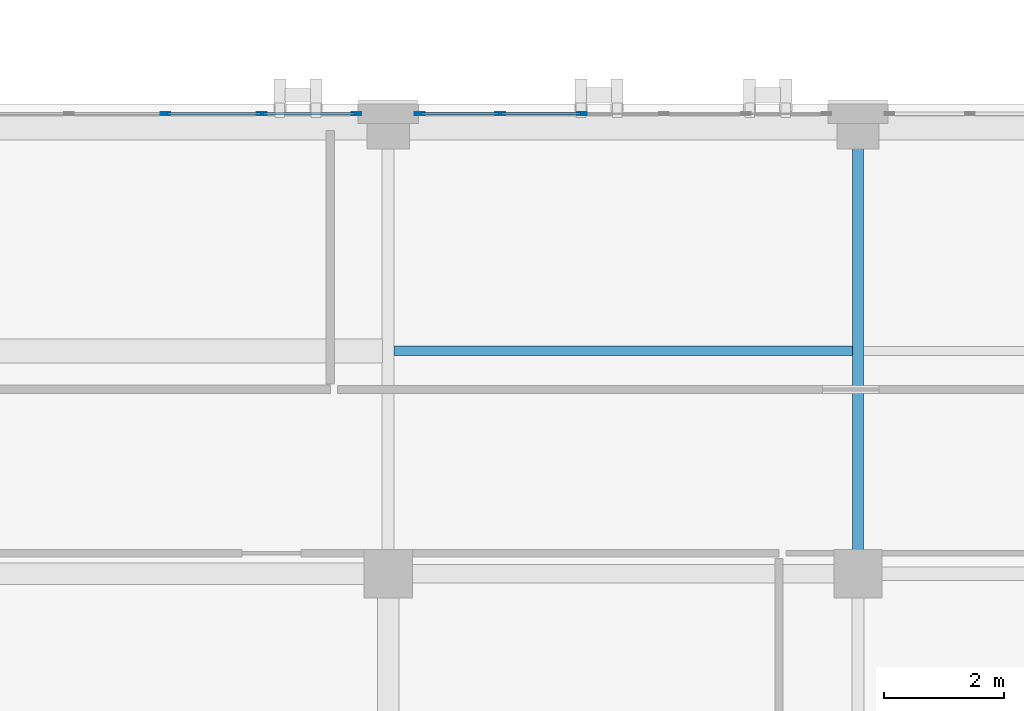
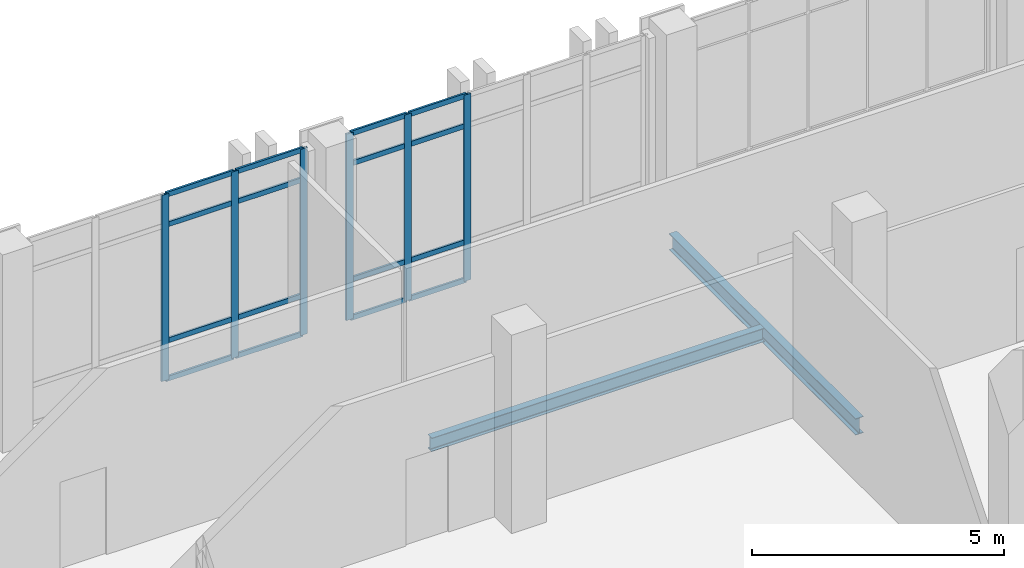
# One storey, part 121 of 189: 22 members, 2 beams, 2 elements without a shape of their own.
"""IFC4 building model written with IfcOpenShell, lengths in metres."""

import ifcopenshell
import ifcopenshell.guid

model = None  # the IFC model being written
_history = None  # IfcOwnerHistory: only IFC2X3 demands one
_inside = {}  # id of a spatial element -> (the spatial element, [elements in it])
_under = {}  # id of a project, library or spatial element -> (it, [spatial elements below it])
_declared = {}  # id of a project -> (the project, [libraries it declares])
_typed = {}  # id of a type object -> (the type object, [elements of that type])
_made_of = {}  # id of a material, layer set ... -> (it, [elements and type objects made of it])


def new_model(schema):
    """Start an empty IFC model of exactly this schema.

    Asked for "IFC4X3", IfcOpenShell would pick the latest addendum, in which some entities
    have other attributes; the version numbers below select the first issue.
    IFC2X3 requires an IfcOwnerHistory on every rooted entity: one is made here for all.
    """
    global model, _history
    if schema == "IFC4X3":
        model = ifcopenshell.file(schema_version=(4, 3, 0, 0))
    else:
        model = ifcopenshell.file(schema=schema)
    _inside.clear()
    _under.clear()
    _declared.clear()
    _typed.clear()
    _made_of.clear()
    _history = None
    if model.schema == "IFC2X3":
        org = make("IfcOrganization", Name="unknown")
        user = make(
            "IfcPersonAndOrganization",
            ThePerson=make("IfcPerson", FamilyName="unknown"),
            TheOrganization=org,
        )
        app = make(
            "IfcApplication",
            ApplicationDeveloper=org,
            Version="unknown",
            ApplicationFullName="unknown",
            ApplicationIdentifier="unknown",
        )
        _history = make(
            "IfcOwnerHistory",
            OwningUser=user,
            OwningApplication=app,
            ChangeAction="ADDED",
            CreationDate=0,
        )
    return model


def make(cls, **values):
    """One entity of the class cls with the attributes given. An attribute that is None is left unset."""
    return model.create_entity(
        cls, **{name: value for name, value in values.items() if value is not None}
    )


def rooted(cls, **values):
    """An entity with a GlobalId (a new one), such as an element, a storey or a relation."""
    return make(cls, GlobalId=ifcopenshell.guid.new(), OwnerHistory=_history, **values)


def si_unit(unit_type, name, prefix=None):
    """IfcSIUnit, for example si_unit("LENGTHUNIT", "METRE", prefix="MILLI")."""
    return make("IfcSIUnit", UnitType=unit_type, Prefix=prefix, Name=name)


def assignment(units):
    """IfcUnitAssignment: the units of a project."""
    return None if units is None else make("IfcUnitAssignment", Units=units)


def point(xyz):
    """IfcCartesianPoint."""
    return None if xyz is None else make("IfcCartesianPoint", Coordinates=xyz)


def direction(xyz):
    """IfcDirection."""
    return None if xyz is None else make("IfcDirection", DirectionRatios=xyz)


def frame(location, z_axis=None, x_axis=None):
    """IfcAxis2Placement3D, a coordinate frame: its origin and axes. An axis left out is left unset."""
    return make(
        "IfcAxis2Placement3D",
        Location=point(location),
        Axis=direction(z_axis),
        RefDirection=direction(x_axis),
    )


def frame_2d(location, x_axis=None):
    """IfcAxis2Placement2D, a coordinate frame in the plane: its origin and x axis."""
    return make(
        "IfcAxis2Placement2D", Location=point(location), RefDirection=direction(x_axis)
    )


def origin():
    """The frame at (0, 0, 0) with its axes left unset."""
    return frame((0.0, 0.0, 0.0))


def origin_2d():
    """The frame at (0, 0) in the plane with its x axis left unset."""
    return frame_2d((0.0, 0.0))


def place(relative_to, where):
    """IfcLocalPlacement: puts the frame where relative to a parent placement (None: the world)."""
    return make(
        "IfcLocalPlacement", PlacementRelTo=relative_to, RelativePlacement=where
    )


def context(
    kind, dimensions, precision=None, world=None, true_north=None, identifier=None
):
    """IfcGeometricRepresentationContext, for example the 3D "Model" context."""
    return make(
        "IfcGeometricRepresentationContext",
        ContextIdentifier=identifier,
        ContextType=kind,
        CoordinateSpaceDimension=dimensions,
        Precision=precision,
        WorldCoordinateSystem=world,
        TrueNorth=true_north,
    )


def subcontext(parent, identifier, kind, view, scale=None):
    """IfcGeometricRepresentationSubContext, for example "Body" below "Model"."""
    return make(
        "IfcGeometricRepresentationSubContext",
        ContextIdentifier=identifier,
        ContextType=kind,
        ParentContext=parent,
        TargetScale=scale,
        TargetView=view,
    )


def project(units=None, contexts=None):
    """IfcProject with its units and contexts."""
    return rooted(
        "IfcProject",
        Name="project",
        RepresentationContexts=contexts,
        UnitsInContext=assignment(units),
    )


def spatial(cls, under=None, at=None, **own):
    """A site, building, storey or space (cls), placed at a placement, below another one or the project."""
    s = rooted(cls, ObjectPlacement=at, **own)
    if under is not None:
        _under.setdefault(under.id(), (under, []))[1].append(s)
    return s


def profile(cls, at=None, kind="AREA", **sizes):
    """A parametric profile (cls). Its sizes go by their IFC names, for example OverallWidth=200.0."""
    return make(cls, ProfileType=kind, Position=at, **sizes)


def hollow_rectangle(**sizes):
    """IfcRectangleHollowProfileDef."""
    return profile("IfcRectangleHollowProfileDef", **sizes)


def i_section(**sizes):
    """IfcIShapeProfileDef."""
    return profile("IfcIShapeProfileDef", **sizes)


def extrude(swept, where, along, depth):
    """IfcExtrudedAreaSolid: the profile swept, set in the frame where, extruded along a direction by depth."""
    return make(
        "IfcExtrudedAreaSolid",
        SweptArea=swept,
        Position=where,
        ExtrudedDirection=direction(along),
        Depth=depth,
    )


def shape(context_of_items, identifier, shape_type, items):
    """IfcShapeRepresentation: the items that make up one representation, for example the "Body"."""
    return make(
        "IfcShapeRepresentation",
        ContextOfItems=context_of_items,
        RepresentationIdentifier=identifier,
        RepresentationType=shape_type,
        Items=items,
    )


def material(Name=None, Category=None):
    """IfcMaterial."""
    return make("IfcMaterial", Name=Name, Category=Category)


def layer(
    of_material, thickness, ventilated=None, Name=None, Category=None, Priority=None
):
    """IfcMaterialLayer: one layer of a wall or slab, of a material (None: an air gap)."""
    return make(
        "IfcMaterialLayer",
        Material=of_material,
        LayerThickness=thickness,
        IsVentilated=ventilated,
        Name=Name,
        Category=Category,
        Priority=Priority,
    )


def layer_set(layers, Name=None):
    """IfcMaterialLayerSet."""
    return make("IfcMaterialLayerSet", MaterialLayers=layers, LayerSetName=Name)


def material_profile(
    of_material, cross_section, Name=None, Category=None, Priority=None
):
    """IfcMaterialProfile: a cross section and its material."""
    return make(
        "IfcMaterialProfile",
        Name=Name,
        Material=of_material,
        Profile=cross_section,
        Priority=Priority,
        Category=Category,
    )


def profile_set(profiles, Name=None, composite=None):
    """IfcMaterialProfileSet."""
    return make(
        "IfcMaterialProfileSet",
        Name=Name,
        MaterialProfiles=profiles,
        CompositeProfile=composite,
    )


def made_of(thing, what):
    """Note that an element or type object is made of a material, layer set ...; save() writes the relation."""
    if what is not None:
        _made_of.setdefault(what.id(), (what, []))[1].append(thing)
    return thing


def type_object(cls, material=None, **own):
    """A type object (cls), such as IfcWallType, which elements share."""
    return made_of(rooted(cls, **own), material)


def element(
    cls,
    number,
    at=None,
    inside=None,
    cuts=None,
    type_object=None,
    material=None,
    context=None,
    identifier="Body",
    shape_type=None,
    held_by="IfcProductDefinitionShape",
    body=None,
    shapes=None,
    **own,
):
    """One element of the class cls, such as IfcWall. Its Tag is "e" and its number.

    at: its placement. inside: the storey or other place that contains it. cuts: it is an
    opening in that element (IfcRelVoidsElement). A single representation is given by context,
    identifier, shape_type and body (its items); several are given by shapes. held_by: the class
    of the entity that holds the representations. save() writes the other relations.
    """
    e = rooted(cls, Tag="e%d" % number, ObjectPlacement=at, **own)
    if body is not None:
        shapes = [shape(context, identifier, shape_type, body)]
    if shapes is not None:
        e.Representation = make(held_by, Representations=shapes)
    if inside is not None:
        _inside.setdefault(inside.id(), (inside, []))[1].append(e)
    if cuts is not None:
        rooted(
            "IfcRelVoidsElement", RelatingBuildingElement=cuts, RelatedOpeningElement=e
        )
    if type_object is not None:
        _typed.setdefault(type_object.id(), (type_object, []))[1].append(e)
    return made_of(e, material)


def aggregate(whole, parts):
    """IfcRelAggregates: a whole, such as a stair, and the parts it consists of."""
    return rooted("IfcRelAggregates", RelatingObject=whole, RelatedObjects=parts)


def save(model, path):
    """Write the relations noted so far, then the file.

    IfcRelAggregates (storeys below a building ...), IfcRelContainedInSpatialStructure (elements
    in a storey), IfcRelDefinesByType, IfcRelAssociatesMaterial and IfcRelDeclares: one each for
    every whole, place, type object, material and project.
    """
    for whole, parts in _under.values():
        aggregate(whole, parts)
    for where, things in _inside.values():
        rooted(
            "IfcRelContainedInSpatialStructure",
            RelatedElements=things,
            RelatingStructure=where,
        )
    for kind, things in _typed.values():
        rooted("IfcRelDefinesByType", RelatedObjects=things, RelatingType=kind)
    for what, things in _made_of.values():
        rooted("IfcRelAssociatesMaterial", RelatedObjects=things, RelatingMaterial=what)
    for by, libraries in _declared.values():
        rooted("IfcRelDeclares", RelatingContext=by, RelatedDefinitions=libraries)
    model.write(path)


model = new_model("IFC4")

# Units and contexts
model_context = context("Model", 3, precision=1e-05, world=origin(), true_north=direction((0.0, 1.0)))
body_context = subcontext(model_context, "Body", "Model", "MODEL_VIEW")
ifc_project = project(units=[si_unit("LENGTHUNIT", "METRE"), si_unit("AREAUNIT", "SQUARE_METRE"), si_unit("VOLUMEUNIT", "CUBIC_METRE"), si_unit("PLANEANGLEUNIT", "RADIAN"), si_unit("MASSUNIT", "GRAM", prefix="KILO")], contexts=[model_context])

# Site, building, storey
site_placement = place(None, origin())
site = spatial("IfcSite", under=ifc_project, at=site_placement, CompositionType="ELEMENT")
building_placement = place(site_placement, origin())
building = spatial("IfcBuilding", under=site, at=building_placement, Name="Qalavern Law Courts", CompositionType="ELEMENT")
storey_placement = place(building_placement, frame((0.0, 0.0, 5.39990234375)))
storey = spatial("IfcBuildingStorey", under=building, at=storey_placement, Name="L01", CompositionType="ELEMENT", Elevation=5.39990234375)

# Curtain wall, members
ifc_material_1 = material(Name="Anodised aluminium and insulated glazing", Category="aluminium")
ifc_layer = layer(ifc_material_1, 0.172119140625)
ifc_layer_set = layer_set([ifc_layer], Name="Anodised aluminium and insulated glazing")
curtain_wall_type = type_object("IfcCurtainWallType", Name="ENV-CW-COURT", PredefinedType="USERDEFINED", material=ifc_layer_set)
curtain_wall_1_placement = place(storey_placement, origin())
curtain_wall_1 = element("IfcCurtainWall", 1, at=curtain_wall_1_placement, inside=storey, type_object=curtain_wall_type, Name="V6 unitised curtain wall L01 north 4", ObjectType="UNITISED CURTAIN WALL", PredefinedType="USERDEFINED")
ifc_material_2 = material(Name="Anodised aluminium", Category="aluminium")
ifc_material_profile_1 = material_profile(ifc_material_2, hollow_rectangle(XDim=0.048095703125, YDim=0.159912109375, WallThickness=0.00390625, at=origin_2d()), Name="ALU MULLION 48x160")
ifc_profile_set_1 = profile_set([ifc_material_profile_1], Name="Anodised aluminium")
member_type_1 = type_object("IfcMemberType", Name="ENV-CWM-48x160", PredefinedType="MULLION", material=ifc_profile_set_1)
member_1_placement = place(storey_placement, frame((137.419921875, 22.4375, 0.0), z_axis=(0.0, 0.0, 1.0), x_axis=(0.0, -1.0, 0.0)))
member_1 = element("IfcMember", 2, at=member_1_placement, type_object=member_type_1, Name="CW-03 mullion 4", PredefinedType="MULLION", context=body_context, shape_type="SweptSolid", body=[
    extrude(hollow_rectangle(XDim=0.048095703125, YDim=0.159912109375, WallThickness=0.00390625, at=origin_2d()), origin(), (0.0, 0.0, 1.0), 4.510009765625),
])
member_2_placement = place(storey_placement, frame((136.06005859375, 22.4375, 0.0), z_axis=(0.0, 0.0, 1.0), x_axis=(0.0, -1.0, 0.0)))
member_2 = element("IfcMember", 3, at=member_2_placement, type_object=member_type_1, Name="CW-03 mullion 5", PredefinedType="MULLION", context=body_context, shape_type="SweptSolid", body=[
    extrude(hollow_rectangle(XDim=0.048095703125, YDim=0.159912109375, WallThickness=0.00390625, at=origin_2d()), origin(), (0.0, 0.0, 1.0), 4.510009765625),
])
member_3_placement = place(storey_placement, frame((134.72412109375, 22.4375, 0.0), z_axis=(0.0, 0.0, 1.0), x_axis=(0.0, -1.0, 0.0)))
member_3 = element("IfcMember", 4, at=member_3_placement, type_object=member_type_1, Name="CW-03 mullion 6", PredefinedType="MULLION", context=body_context, shape_type="SweptSolid", body=[
    extrude(hollow_rectangle(XDim=0.048095703125, YDim=0.159912109375, WallThickness=0.00390625, at=origin_2d()), origin(), (0.0, 0.0, 1.0), 4.510009765625),
])

curtain_wall_2_placement = place(storey_placement, origin())
curtain_wall_2 = element("IfcCurtainWall", 5, at=curtain_wall_2_placement, inside=storey, type_object=curtain_wall_type, Name="V6 unitised curtain wall L01 north 5", ObjectType="UNITISED CURTAIN WALL", PredefinedType="USERDEFINED")
member_4_placement = place(storey_placement, frame((133.676025390625, 22.4375, 0.0), z_axis=(0.0, 0.0, 1.0), x_axis=(0.0, -1.0, 0.0)))
member_4 = element("IfcMember", 6, at=member_4_placement, type_object=member_type_1, Name="CW-03 mullion 1", PredefinedType="MULLION", context=body_context, shape_type="SweptSolid", body=[
    extrude(hollow_rectangle(XDim=0.048095703125, YDim=0.159912109375, WallThickness=0.00390625, at=origin_2d()), origin(), (0.0, 0.0, 1.0), 4.510009765625),
])
member_5_placement = place(storey_placement, frame((132.10009765625, 22.4375, 0.0), z_axis=(0.0, 0.0, 1.0), x_axis=(0.0, -1.0, 0.0)))
member_5 = element("IfcMember", 7, at=member_5_placement, type_object=member_type_1, Name="CW-03 mullion 2", PredefinedType="MULLION", context=body_context, shape_type="SweptSolid", body=[
    extrude(hollow_rectangle(XDim=0.048095703125, YDim=0.159912109375, WallThickness=0.00390625, at=origin_2d()), origin(), (0.0, 0.0, 1.0), 4.510009765625),
])
member_6_placement = place(storey_placement, frame((130.5, 22.4375, 0.0), z_axis=(0.0, 0.0, 1.0), x_axis=(0.0, -1.0, 0.0)))
member_6 = element("IfcMember", 8, at=member_6_placement, type_object=member_type_1, Name="CW-03 mullion 3", PredefinedType="MULLION", context=body_context, shape_type="SweptSolid", body=[
    extrude(hollow_rectangle(XDim=0.048095703125, YDim=0.159912109375, WallThickness=0.00390625, at=origin_2d()), origin(), (0.0, 0.0, 1.0), 4.510009765625),
])

# Member
ifc_material_profile_2 = material_profile(ifc_material_2, hollow_rectangle(XDim=0.048095703125, YDim=0.1201171875, WallThickness=0.00390625, at=origin_2d()), Name="ALU TRANSOM 48x120")
ifc_profile_set_2 = profile_set([ifc_material_profile_2], Name="Anodised aluminium")
member_type_2 = type_object("IfcMemberType", Name="ENV-CWT-48x120", PredefinedType="USERDEFINED", material=ifc_profile_set_2)
member_7_placement = place(storey_placement, frame((137.39599609375, 22.4375, 0.024169921875), z_axis=(-1.0, 0.0, 0.0), x_axis=(0.0, -1.0, 0.0)))
member_7 = element("IfcMember", 9, at=member_7_placement, type_object=member_type_2, Name="CW-03 transom 4.1", ObjectType="TRANSOM", PredefinedType="USERDEFINED", context=body_context, shape_type="SweptSolid", body=[
    extrude(hollow_rectangle(XDim=0.048095703125, YDim=0.1201171875, WallThickness=0.00390625, at=origin_2d()), origin(), (0.0, 0.0, 1.0), 1.31201171875),
])

member_8_placement = place(storey_placement, frame((137.39599609375, 22.4375, 0.9501953125), z_axis=(-1.0, 0.0, 0.0), x_axis=(0.0, -1.0, 0.0)))
member_8 = element("IfcMember", 10, at=member_8_placement, type_object=member_type_2, Name="CW-03 transom 4.2", ObjectType="TRANSOM", PredefinedType="USERDEFINED", context=body_context, shape_type="SweptSolid", body=[
    extrude(hollow_rectangle(XDim=0.048095703125, YDim=0.1201171875, WallThickness=0.00390625, at=origin_2d()), origin(), (0.0, 0.0, 1.0), 1.31201171875),
])

member_9_placement = place(storey_placement, frame((137.39599609375, 22.4375, 3.760009765625), z_axis=(-1.0, 0.0, 0.0), x_axis=(0.0, -1.0, 0.0)))
member_9 = element("IfcMember", 11, at=member_9_placement, type_object=member_type_2, Name="CW-03 transom 4.3", ObjectType="TRANSOM", PredefinedType="USERDEFINED", context=body_context, shape_type="SweptSolid", body=[
    extrude(hollow_rectangle(XDim=0.048095703125, YDim=0.1201171875, WallThickness=0.00390625, at=origin_2d()), origin(), (0.0, 0.0, 1.0), 1.31201171875),
])

member_10_placement = place(storey_placement, frame((137.39599609375, 22.4375, 4.486083984375), z_axis=(-1.0, 0.0, 0.0), x_axis=(0.0, -1.0, 0.0)))
member_10 = element("IfcMember", 12, at=member_10_placement, type_object=member_type_2, Name="CW-03 transom 4.4", ObjectType="TRANSOM", PredefinedType="USERDEFINED", context=body_context, shape_type="SweptSolid", body=[
    extrude(hollow_rectangle(XDim=0.048095703125, YDim=0.1201171875, WallThickness=0.00390625, at=origin_2d()), origin(), (0.0, 0.0, 1.0), 1.31201171875),
])

member_11_placement = place(storey_placement, frame((136.035888671875, 22.4375, 0.024169921875), z_axis=(-1.0, 0.0, 0.0), x_axis=(0.0, -1.0, 0.0)))
member_11 = element("IfcMember", 13, at=member_11_placement, type_object=member_type_2, Name="CW-03 transom 5.1", ObjectType="TRANSOM", PredefinedType="USERDEFINED", context=body_context, shape_type="SweptSolid", body=[
    extrude(hollow_rectangle(XDim=0.048095703125, YDim=0.1201171875, WallThickness=0.00390625, at=origin_2d()), origin(), (0.0, 0.0, 1.0), 1.287841796875),
])

member_12_placement = place(storey_placement, frame((136.035888671875, 22.4375, 0.9501953125), z_axis=(-1.0, 0.0, 0.0), x_axis=(0.0, -1.0, 0.0)))
member_12 = element("IfcMember", 14, at=member_12_placement, type_object=member_type_2, Name="CW-03 transom 5.2", ObjectType="TRANSOM", PredefinedType="USERDEFINED", context=body_context, shape_type="SweptSolid", body=[
    extrude(hollow_rectangle(XDim=0.048095703125, YDim=0.1201171875, WallThickness=0.00390625, at=origin_2d()), origin(), (0.0, 0.0, 1.0), 1.287841796875),
])

member_13_placement = place(storey_placement, frame((136.035888671875, 22.4375, 3.760009765625), z_axis=(-1.0, 0.0, 0.0), x_axis=(0.0, -1.0, 0.0)))
member_13 = element("IfcMember", 15, at=member_13_placement, type_object=member_type_2, Name="CW-03 transom 5.3", ObjectType="TRANSOM", PredefinedType="USERDEFINED", context=body_context, shape_type="SweptSolid", body=[
    extrude(hollow_rectangle(XDim=0.048095703125, YDim=0.1201171875, WallThickness=0.00390625, at=origin_2d()), origin(), (0.0, 0.0, 1.0), 1.287841796875),
])

member_14_placement = place(storey_placement, frame((136.035888671875, 22.4375, 4.486083984375), z_axis=(-1.0, 0.0, 0.0), x_axis=(0.0, -1.0, 0.0)))
member_14 = element("IfcMember", 16, at=member_14_placement, type_object=member_type_2, Name="CW-03 transom 5.4", ObjectType="TRANSOM", PredefinedType="USERDEFINED", context=body_context, shape_type="SweptSolid", body=[
    extrude(hollow_rectangle(XDim=0.048095703125, YDim=0.1201171875, WallThickness=0.00390625, at=origin_2d()), origin(), (0.0, 0.0, 1.0), 1.287841796875),
])

aggregate(curtain_wall_1, [member_1, member_2, member_3, member_7, member_8, member_9, member_10, member_11, member_12, member_13, member_14])

member_15_placement = place(storey_placement, frame((133.652099609375, 22.4375, 0.024169921875), z_axis=(-1.0, 0.0, 0.0), x_axis=(0.0, -1.0, 0.0)))
member_15 = element("IfcMember", 17, at=member_15_placement, type_object=member_type_2, Name="CW-03 transom 1.1", ObjectType="TRANSOM", PredefinedType="USERDEFINED", context=body_context, shape_type="SweptSolid", body=[
    extrude(hollow_rectangle(XDim=0.048095703125, YDim=0.1201171875, WallThickness=0.00390625, at=origin_2d()), origin(), (0.0, 0.0, 1.0), 1.528076171875),
])

member_16_placement = place(storey_placement, frame((133.652099609375, 22.4375, 0.9501953125), z_axis=(-1.0, 0.0, 0.0), x_axis=(0.0, -1.0, 0.0)))
member_16 = element("IfcMember", 18, at=member_16_placement, type_object=member_type_2, Name="CW-03 transom 1.2", ObjectType="TRANSOM", PredefinedType="USERDEFINED", context=body_context, shape_type="SweptSolid", body=[
    extrude(hollow_rectangle(XDim=0.048095703125, YDim=0.1201171875, WallThickness=0.00390625, at=origin_2d()), origin(), (0.0, 0.0, 1.0), 1.528076171875),
])

member_17_placement = place(storey_placement, frame((133.652099609375, 22.4375, 3.760009765625), z_axis=(-1.0, 0.0, 0.0), x_axis=(0.0, -1.0, 0.0)))
member_17 = element("IfcMember", 19, at=member_17_placement, type_object=member_type_2, Name="CW-03 transom 1.3", ObjectType="TRANSOM", PredefinedType="USERDEFINED", context=body_context, shape_type="SweptSolid", body=[
    extrude(hollow_rectangle(XDim=0.048095703125, YDim=0.1201171875, WallThickness=0.00390625, at=origin_2d()), origin(), (0.0, 0.0, 1.0), 1.528076171875),
])

member_18_placement = place(storey_placement, frame((133.652099609375, 22.4375, 4.486083984375), z_axis=(-1.0, 0.0, 0.0), x_axis=(0.0, -1.0, 0.0)))
member_18 = element("IfcMember", 20, at=member_18_placement, type_object=member_type_2, Name="CW-03 transom 1.4", ObjectType="TRANSOM", PredefinedType="USERDEFINED", context=body_context, shape_type="SweptSolid", body=[
    extrude(hollow_rectangle(XDim=0.048095703125, YDim=0.1201171875, WallThickness=0.00390625, at=origin_2d()), origin(), (0.0, 0.0, 1.0), 1.528076171875),
])

member_19_placement = place(storey_placement, frame((132.075927734375, 22.4375, 0.024169921875), z_axis=(-1.0, 0.0, 0.0), x_axis=(0.0, -1.0, 0.0)))
member_19 = element("IfcMember", 21, at=member_19_placement, type_object=member_type_2, Name="CW-03 transom 2.1", ObjectType="TRANSOM", PredefinedType="USERDEFINED", context=body_context, shape_type="SweptSolid", body=[
    extrude(hollow_rectangle(XDim=0.048095703125, YDim=0.1201171875, WallThickness=0.00390625, at=origin_2d()), origin(), (0.0, 0.0, 1.0), 1.552001953125),
])

member_20_placement = place(storey_placement, frame((132.075927734375, 22.4375, 0.9501953125), z_axis=(-1.0, 0.0, 0.0), x_axis=(0.0, -1.0, 0.0)))
member_20 = element("IfcMember", 22, at=member_20_placement, type_object=member_type_2, Name="CW-03 transom 2.2", ObjectType="TRANSOM", PredefinedType="USERDEFINED", context=body_context, shape_type="SweptSolid", body=[
    extrude(hollow_rectangle(XDim=0.048095703125, YDim=0.1201171875, WallThickness=0.00390625, at=origin_2d()), origin(), (0.0, 0.0, 1.0), 1.552001953125),
])

member_21_placement = place(storey_placement, frame((132.075927734375, 22.4375, 3.760009765625), z_axis=(-1.0, 0.0, 0.0), x_axis=(0.0, -1.0, 0.0)))
member_21 = element("IfcMember", 23, at=member_21_placement, type_object=member_type_2, Name="CW-03 transom 2.3", ObjectType="TRANSOM", PredefinedType="USERDEFINED", context=body_context, shape_type="SweptSolid", body=[
    extrude(hollow_rectangle(XDim=0.048095703125, YDim=0.1201171875, WallThickness=0.00390625, at=origin_2d()), origin(), (0.0, 0.0, 1.0), 1.552001953125),
])

member_22_placement = place(storey_placement, frame((132.075927734375, 22.4375, 4.486083984375), z_axis=(-1.0, 0.0, 0.0), x_axis=(0.0, -1.0, 0.0)))
member_22 = element("IfcMember", 24, at=member_22_placement, type_object=member_type_2, Name="CW-03 transom 2.4", ObjectType="TRANSOM", PredefinedType="USERDEFINED", context=body_context, shape_type="SweptSolid", body=[
    extrude(hollow_rectangle(XDim=0.048095703125, YDim=0.1201171875, WallThickness=0.00390625, at=origin_2d()), origin(), (0.0, 0.0, 1.0), 1.552001953125),
])

aggregate(curtain_wall_2, [member_4, member_5, member_6, member_15, member_16, member_17, member_18, member_19, member_20, member_21, member_22])

# Beams
ifc_material_3 = material(Name="Steel S355", Category="steel")
ifc_material_profile_3 = material_profile(ifc_material_3, i_section(OverallWidth=0.179931640625, OverallDepth=0.39990234375, WebThickness=0.008544921875, FlangeThickness=0.013427734375, FilletRadius=0.02099609375, at=origin_2d()), Name="IPE 400")
ifc_profile_set_3 = profile_set([ifc_material_profile_3], Name="Steel S355")
beam_type_1 = type_object("IfcBeamType", Name="STR-BM-IPE400", PredefinedType="BEAM", material=ifc_profile_set_3)
beam_1_placement = place(storey_placement, frame((142.0, 14.800048828125, -0.5), z_axis=(0.0, 1.0, 0.0), x_axis=(-1.0, 0.0, 0.0)))
element("IfcBeam", 25, at=beam_1_placement, inside=storey, type_object=beam_type_1, Name="V6 Y-beam 6-3 L01", PredefinedType="BEAM", context=body_context, shape_type="SweptSolid", body=[
    extrude(i_section(OverallWidth=0.179931640625, OverallDepth=0.39990234375, WebThickness=0.008544921875, FlangeThickness=0.013427734375, FilletRadius=0.02099609375, at=origin_2d()), origin(), (0.0, 0.0, 1.0), 7.39990234375),
])
ifc_material_profile_4 = material_profile(ifc_material_3, i_section(OverallWidth=0.159912109375, OverallDepth=0.330078125, WebThickness=0.007568359375, FlangeThickness=0.011474609375, FilletRadius=0.01806640625, at=origin_2d()), Name="IPE 330")
ifc_profile_set_4 = profile_set([ifc_material_profile_4], Name="Steel S355")
beam_type_2 = type_object("IfcBeamType", Name="STR-JST-IPE330", PredefinedType="JOIST", material=ifc_profile_set_4)
beam_2_placement = place(storey_placement, frame((134.298095703125, 18.5, -0.46484375), z_axis=(1.0, 0.0, 0.0), x_axis=(0.0, 1.0, 0.0)))
element("IfcBeam", 26, at=beam_2_placement, inside=storey, type_object=beam_type_2, Name="V6 secondary joist 5.3.1 L01", PredefinedType="JOIST", context=body_context, shape_type="SweptSolid", body=[
    extrude(i_section(OverallWidth=0.159912109375, OverallDepth=0.330078125, WebThickness=0.007568359375, FlangeThickness=0.011474609375, FilletRadius=0.01806640625, at=origin_2d()), origin(), (0.0, 0.0, 1.0), 7.614013671875),
])

save(model, "model.ifc")
